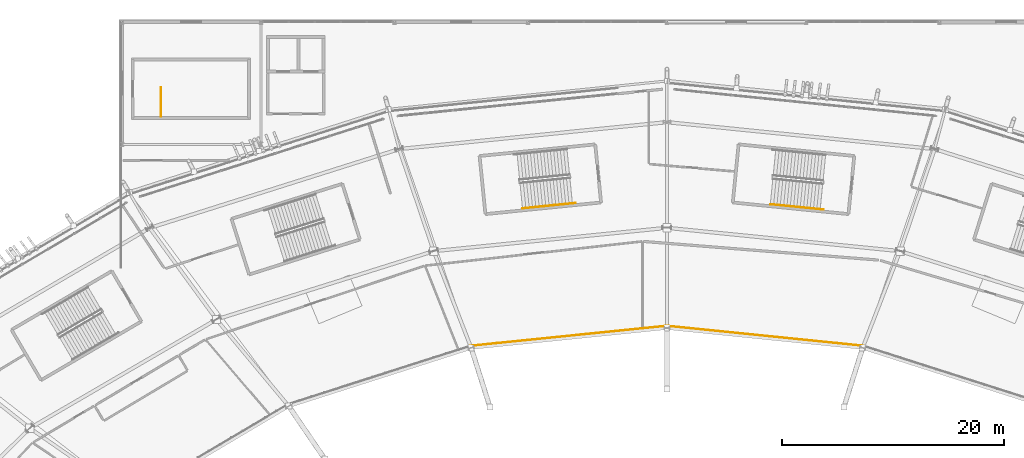
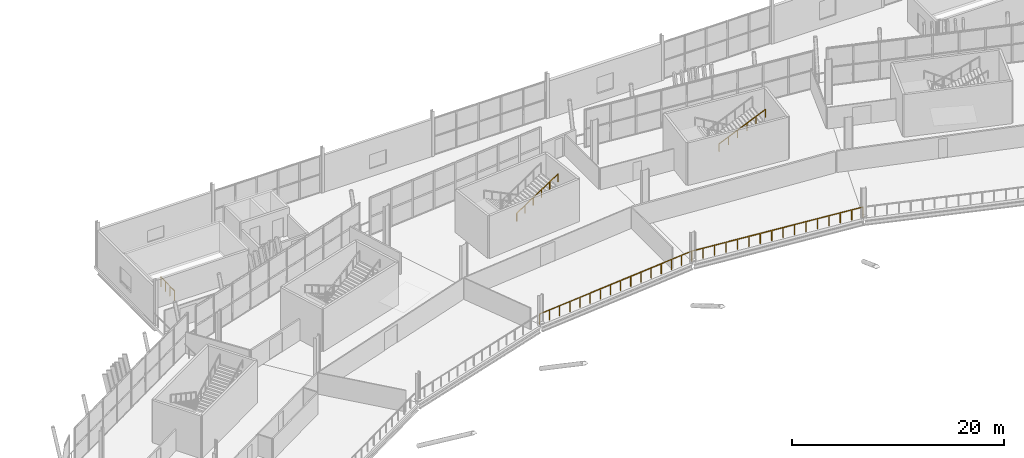
# One storey, part 164 of 168: 5 railings.
"""IFC4 building model written with IfcOpenShell, lengths in metres."""

import ifcopenshell
import ifcopenshell.guid

model = None  # the IFC model being written
_history = None  # IfcOwnerHistory: only IFC2X3 demands one
_inside = {}  # id of a spatial element -> (the spatial element, [elements in it])
_under = {}  # id of a project, library or spatial element -> (it, [spatial elements below it])
_declared = {}  # id of a project -> (the project, [libraries it declares])
_typed = {}  # id of a type object -> (the type object, [elements of that type])
_made_of = {}  # id of a material, layer set ... -> (it, [elements and type objects made of it])


def new_model(schema):
    """Start an empty IFC model of exactly this schema.

    Asked for "IFC4X3", IfcOpenShell would pick the latest addendum, in which some entities
    have other attributes; the version numbers below select the first issue.
    IFC2X3 requires an IfcOwnerHistory on every rooted entity: one is made here for all.
    """
    global model, _history
    if schema == "IFC4X3":
        model = ifcopenshell.file(schema_version=(4, 3, 0, 0))
    else:
        model = ifcopenshell.file(schema=schema)
    _inside.clear()
    _under.clear()
    _declared.clear()
    _typed.clear()
    _made_of.clear()
    _history = None
    if model.schema == "IFC2X3":
        org = make("IfcOrganization", Name="unknown")
        user = make(
            "IfcPersonAndOrganization",
            ThePerson=make("IfcPerson", FamilyName="unknown"),
            TheOrganization=org,
        )
        app = make(
            "IfcApplication",
            ApplicationDeveloper=org,
            Version="unknown",
            ApplicationFullName="unknown",
            ApplicationIdentifier="unknown",
        )
        _history = make(
            "IfcOwnerHistory",
            OwningUser=user,
            OwningApplication=app,
            ChangeAction="ADDED",
            CreationDate=0,
        )
    return model


def make(cls, **values):
    """One entity of the class cls with the attributes given. An attribute that is None is left unset."""
    return model.create_entity(
        cls, **{name: value for name, value in values.items() if value is not None}
    )


def rooted(cls, **values):
    """An entity with a GlobalId (a new one), such as an element, a storey or a relation."""
    return make(cls, GlobalId=ifcopenshell.guid.new(), OwnerHistory=_history, **values)


def si_unit(unit_type, name, prefix=None):
    """IfcSIUnit, for example si_unit("LENGTHUNIT", "METRE", prefix="MILLI")."""
    return make("IfcSIUnit", UnitType=unit_type, Prefix=prefix, Name=name)


def assignment(units):
    """IfcUnitAssignment: the units of a project."""
    return None if units is None else make("IfcUnitAssignment", Units=units)


def point(xyz):
    """IfcCartesianPoint."""
    return None if xyz is None else make("IfcCartesianPoint", Coordinates=xyz)


def direction(xyz):
    """IfcDirection."""
    return None if xyz is None else make("IfcDirection", DirectionRatios=xyz)


def frame(location, z_axis=None, x_axis=None):
    """IfcAxis2Placement3D, a coordinate frame: its origin and axes. An axis left out is left unset."""
    return make(
        "IfcAxis2Placement3D",
        Location=point(location),
        Axis=direction(z_axis),
        RefDirection=direction(x_axis),
    )


def frame_2d(location, x_axis=None):
    """IfcAxis2Placement2D, a coordinate frame in the plane: its origin and x axis."""
    return make(
        "IfcAxis2Placement2D", Location=point(location), RefDirection=direction(x_axis)
    )


def origin():
    """The frame at (0, 0, 0) with its axes left unset."""
    return frame((0.0, 0.0, 0.0))


def origin_2d():
    """The frame at (0, 0) in the plane with its x axis left unset."""
    return frame_2d((0.0, 0.0))


def place(relative_to, where):
    """IfcLocalPlacement: puts the frame where relative to a parent placement (None: the world)."""
    return make(
        "IfcLocalPlacement", PlacementRelTo=relative_to, RelativePlacement=where
    )


def context(
    kind, dimensions, precision=None, world=None, true_north=None, identifier=None
):
    """IfcGeometricRepresentationContext, for example the 3D "Model" context."""
    return make(
        "IfcGeometricRepresentationContext",
        ContextIdentifier=identifier,
        ContextType=kind,
        CoordinateSpaceDimension=dimensions,
        Precision=precision,
        WorldCoordinateSystem=world,
        TrueNorth=true_north,
    )


def subcontext(parent, identifier, kind, view, scale=None):
    """IfcGeometricRepresentationSubContext, for example "Body" below "Model"."""
    return make(
        "IfcGeometricRepresentationSubContext",
        ContextIdentifier=identifier,
        ContextType=kind,
        ParentContext=parent,
        TargetScale=scale,
        TargetView=view,
    )


def project(units=None, contexts=None):
    """IfcProject with its units and contexts."""
    return rooted(
        "IfcProject",
        Name="project",
        RepresentationContexts=contexts,
        UnitsInContext=assignment(units),
    )


def spatial(cls, under=None, at=None, **own):
    """A site, building, storey or space (cls), placed at a placement, below another one or the project."""
    s = rooted(cls, ObjectPlacement=at, **own)
    if under is not None:
        _under.setdefault(under.id(), (under, []))[1].append(s)
    return s


def profile(cls, at=None, kind="AREA", **sizes):
    """A parametric profile (cls). Its sizes go by their IFC names, for example OverallWidth=200.0."""
    return make(cls, ProfileType=kind, Position=at, **sizes)


def rectangle(**sizes):
    """IfcRectangleProfileDef."""
    return profile("IfcRectangleProfileDef", **sizes)


def extrude(swept, where, along, depth):
    """IfcExtrudedAreaSolid: the profile swept, set in the frame where, extruded along a direction by depth."""
    return make(
        "IfcExtrudedAreaSolid",
        SweptArea=swept,
        Position=where,
        ExtrudedDirection=direction(along),
        Depth=depth,
    )


def shape(context_of_items, identifier, shape_type, items):
    """IfcShapeRepresentation: the items that make up one representation, for example the "Body"."""
    return make(
        "IfcShapeRepresentation",
        ContextOfItems=context_of_items,
        RepresentationIdentifier=identifier,
        RepresentationType=shape_type,
        Items=items,
    )


def material(Name=None, Category=None):
    """IfcMaterial."""
    return make("IfcMaterial", Name=Name, Category=Category)


def made_of(thing, what):
    """Note that an element or type object is made of a material, layer set ...; save() writes the relation."""
    if what is not None:
        _made_of.setdefault(what.id(), (what, []))[1].append(thing)
    return thing


def type_object(cls, material=None, **own):
    """A type object (cls), such as IfcWallType, which elements share."""
    return made_of(rooted(cls, **own), material)


def element(
    cls,
    number,
    at=None,
    inside=None,
    cuts=None,
    type_object=None,
    material=None,
    context=None,
    identifier="Body",
    shape_type=None,
    held_by="IfcProductDefinitionShape",
    body=None,
    shapes=None,
    **own,
):
    """One element of the class cls, such as IfcWall. Its Tag is "e" and its number.

    at: its placement. inside: the storey or other place that contains it. cuts: it is an
    opening in that element (IfcRelVoidsElement). A single representation is given by context,
    identifier, shape_type and body (its items); several are given by shapes. held_by: the class
    of the entity that holds the representations. save() writes the other relations.
    """
    e = rooted(cls, Tag="e%d" % number, ObjectPlacement=at, **own)
    if body is not None:
        shapes = [shape(context, identifier, shape_type, body)]
    if shapes is not None:
        e.Representation = make(held_by, Representations=shapes)
    if inside is not None:
        _inside.setdefault(inside.id(), (inside, []))[1].append(e)
    if cuts is not None:
        rooted(
            "IfcRelVoidsElement", RelatingBuildingElement=cuts, RelatedOpeningElement=e
        )
    if type_object is not None:
        _typed.setdefault(type_object.id(), (type_object, []))[1].append(e)
    return made_of(e, material)


def aggregate(whole, parts):
    """IfcRelAggregates: a whole, such as a stair, and the parts it consists of."""
    return rooted("IfcRelAggregates", RelatingObject=whole, RelatedObjects=parts)


def save(model, path):
    """Write the relations noted so far, then the file.

    IfcRelAggregates (storeys below a building ...), IfcRelContainedInSpatialStructure (elements
    in a storey), IfcRelDefinesByType, IfcRelAssociatesMaterial and IfcRelDeclares: one each for
    every whole, place, type object, material and project.
    """
    for whole, parts in _under.values():
        aggregate(whole, parts)
    for where, things in _inside.values():
        rooted(
            "IfcRelContainedInSpatialStructure",
            RelatedElements=things,
            RelatingStructure=where,
        )
    for kind, things in _typed.values():
        rooted("IfcRelDefinesByType", RelatedObjects=things, RelatingType=kind)
    for what, things in _made_of.values():
        rooted("IfcRelAssociatesMaterial", RelatedObjects=things, RelatingMaterial=what)
    for by, libraries in _declared.values():
        rooted("IfcRelDeclares", RelatingContext=by, RelatedDefinitions=libraries)
    model.write(path)


model = new_model("IFC4")

# Units and contexts
model_context = context("Model", 3, precision=1e-05, world=origin(), true_north=direction((0.0, 1.0)))
body_context = subcontext(model_context, "Body", "Model", "MODEL_VIEW")
ifc_project = project(units=[si_unit("LENGTHUNIT", "METRE"), si_unit("AREAUNIT", "SQUARE_METRE"), si_unit("VOLUMEUNIT", "CUBIC_METRE"), si_unit("PLANEANGLEUNIT", "RADIAN"), si_unit("MASSUNIT", "GRAM", prefix="KILO")], contexts=[model_context])

# Site, building, storey
site_placement = place(None, origin())
site = spatial("IfcSite", under=ifc_project, at=site_placement, CompositionType="ELEMENT")
building_placement = place(site_placement, origin())
building = spatial("IfcBuilding", under=site, at=building_placement, Name="Zlatoyarsky Gate Stadium", CompositionType="ELEMENT")
storey_placement = place(building_placement, frame((0.0, 0.0, 15.60009765625)))
storey = spatial("IfcBuildingStorey", under=building, at=storey_placement, Name="L03", CompositionType="ELEMENT", Elevation=15.60009765625)

# Railings
ifc_material_1 = material(Name="Powder-coated steel tubular guardrail", Category="steel")
railing_type_1 = type_object("IfcRailingType", Name="CONCOURSE SLAB EDGE GUARDRAIL 1200", PredefinedType="GUARDRAIL", material=ifc_material_1)
railing_1_placement = place(storey_placement, frame((128.646240234375, 130.885009765625, 0.0)))
element("IfcRailing", 1, at=railing_1_placement, inside=storey, type_object=railing_type_1, Name="L03 inner bowl edge guardrail 05", PredefinedType="GUARDRAIL", context=body_context, shape_type="SweptSolid", body=[
    extrude(rectangle(XDim=0.048095703125, YDim=0.048095703125, at=origin_2d()), frame((0.0, 0.0, 1.17578125), z_axis=(-0.994866629764, 0.101194807095, 0.0), x_axis=(-0.101194807095, -0.994866629764, 0.0)), (0.0, 0.0, 1.0), 17.7373046875),
    extrude(rectangle(XDim=0.0419921875, YDim=0.0419921875, at=origin_2d()), origin(), (0.0, 0.0, 1.0), 1.15185546875),
    extrude(rectangle(XDim=0.0419921875, YDim=0.0419921875, at=origin_2d()), frame((-1.176513671875, 0.11962890625, 0.0)), (0.0, 0.0, 1.0), 1.15185546875),
    extrude(rectangle(XDim=0.0419921875, YDim=0.0419921875, at=origin_2d()), frame((-2.352783203125, 0.2392578125, 0.0)), (0.0, 0.0, 1.0), 1.15185546875),
    extrude(rectangle(XDim=0.0419921875, YDim=0.0419921875, at=origin_2d()), frame((-3.529296875, 0.35888671875, 0.0)), (0.0, 0.0, 1.0), 1.15185546875),
    extrude(rectangle(XDim=0.0419921875, YDim=0.0419921875, at=origin_2d()), frame((-4.70556640625, 0.478759765625, 0.0)), (0.0, 0.0, 1.0), 1.15185546875),
    extrude(rectangle(XDim=0.0419921875, YDim=0.0419921875, at=origin_2d()), frame((-5.882080078125, 0.598388671875, 0.0)), (0.0, 0.0, 1.0), 1.15185546875),
    extrude(rectangle(XDim=0.0419921875, YDim=0.0419921875, at=origin_2d()), frame((-7.05859375, 0.718017578125, 0.0)), (0.0, 0.0, 1.0), 1.15185546875),
    extrude(rectangle(XDim=0.0419921875, YDim=0.0419921875, at=origin_2d()), frame((-8.23486328125, 0.837646484375, 0.0)), (0.0, 0.0, 1.0), 1.15185546875),
    extrude(rectangle(XDim=0.0419921875, YDim=0.0419921875, at=origin_2d()), frame((-9.411376953125, 0.957275390625, 0.0)), (0.0, 0.0, 1.0), 1.15185546875),
    extrude(rectangle(XDim=0.0419921875, YDim=0.0419921875, at=origin_2d()), frame((-10.587646484375, 1.076904296875, 0.0)), (0.0, 0.0, 1.0), 1.15185546875),
    extrude(rectangle(XDim=0.0419921875, YDim=0.0419921875, at=origin_2d()), frame((-11.76416015625, 1.196533203125, 0.0)), (0.0, 0.0, 1.0), 1.15185546875),
    extrude(rectangle(XDim=0.0419921875, YDim=0.0419921875, at=origin_2d()), frame((-12.940673828125, 1.316162109375, 0.0)), (0.0, 0.0, 1.0), 1.15185546875),
    extrude(rectangle(XDim=0.0419921875, YDim=0.0419921875, at=origin_2d()), frame((-14.116943359375, 1.43603515625, 0.0)), (0.0, 0.0, 1.0), 1.15185546875),
    extrude(rectangle(XDim=0.0419921875, YDim=0.0419921875, at=origin_2d()), frame((-15.29345703125, 1.5556640625, 0.0)), (0.0, 0.0, 1.0), 1.15185546875),
    extrude(rectangle(XDim=0.0419921875, YDim=0.0419921875, at=origin_2d()), frame((-16.4697265625, 1.67529296875, 0.0)), (0.0, 0.0, 1.0), 1.15185546875),
    extrude(rectangle(XDim=0.0419921875, YDim=0.0419921875, at=origin_2d()), frame((-17.646240234375, 1.794921875, 0.0)), (0.0, 0.0, 1.0), 1.15185546875),
])
railing_2_placement = place(storey_placement, frame((111.0, 132.679931640625, 0.0)))
element("IfcRailing", 2, at=railing_2_placement, inside=storey, type_object=railing_type_1, Name="L03 inner bowl edge guardrail 06", PredefinedType="GUARDRAIL", context=body_context, shape_type="SweptSolid", body=[
    extrude(rectangle(XDim=0.048095703125, YDim=0.048095703125, at=origin_2d()), frame((0.0, 0.0, 1.17578125), z_axis=(-0.994866629764, -0.101194807095, 0.0), x_axis=(0.101194807095, -0.994866629764, 0.0)), (0.0, 0.0, 1.0), 17.7373046875),
    extrude(rectangle(XDim=0.0419921875, YDim=0.0419921875, at=origin_2d()), origin(), (0.0, 0.0, 1.0), 1.15185546875),
    extrude(rectangle(XDim=0.0419921875, YDim=0.0419921875, at=origin_2d()), frame((-1.176513671875, -0.11962890625, 0.0)), (0.0, 0.0, 1.0), 1.15185546875),
    extrude(rectangle(XDim=0.0419921875, YDim=0.0419921875, at=origin_2d()), frame((-2.352783203125, -0.2392578125, 0.0)), (0.0, 0.0, 1.0), 1.15185546875),
    extrude(rectangle(XDim=0.0419921875, YDim=0.0419921875, at=origin_2d()), frame((-3.529296875, -0.35888671875, 0.0)), (0.0, 0.0, 1.0), 1.15185546875),
    extrude(rectangle(XDim=0.0419921875, YDim=0.0419921875, at=origin_2d()), frame((-4.70556640625, -0.478759765625, 0.0)), (0.0, 0.0, 1.0), 1.15185546875),
    extrude(rectangle(XDim=0.0419921875, YDim=0.0419921875, at=origin_2d()), frame((-5.882080078125, -0.598388671875, 0.0)), (0.0, 0.0, 1.0), 1.15185546875),
    extrude(rectangle(XDim=0.0419921875, YDim=0.0419921875, at=origin_2d()), frame((-7.05859375, -0.718017578125, 0.0)), (0.0, 0.0, 1.0), 1.15185546875),
    extrude(rectangle(XDim=0.0419921875, YDim=0.0419921875, at=origin_2d()), frame((-8.23486328125, -0.837646484375, 0.0)), (0.0, 0.0, 1.0), 1.15185546875),
    extrude(rectangle(XDim=0.0419921875, YDim=0.0419921875, at=origin_2d()), frame((-9.411376953125, -0.957275390625, 0.0)), (0.0, 0.0, 1.0), 1.15185546875),
    extrude(rectangle(XDim=0.0419921875, YDim=0.0419921875, at=origin_2d()), frame((-10.587646484375, -1.076904296875, 0.0)), (0.0, 0.0, 1.0), 1.15185546875),
    extrude(rectangle(XDim=0.0419921875, YDim=0.0419921875, at=origin_2d()), frame((-11.76416015625, -1.196533203125, 0.0)), (0.0, 0.0, 1.0), 1.15185546875),
    extrude(rectangle(XDim=0.0419921875, YDim=0.0419921875, at=origin_2d()), frame((-12.940673828125, -1.316162109375, 0.0)), (0.0, 0.0, 1.0), 1.15185546875),
    extrude(rectangle(XDim=0.0419921875, YDim=0.0419921875, at=origin_2d()), frame((-14.116943359375, -1.43603515625, 0.0)), (0.0, 0.0, 1.0), 1.15185546875),
    extrude(rectangle(XDim=0.0419921875, YDim=0.0419921875, at=origin_2d()), frame((-15.29345703125, -1.5556640625, 0.0)), (0.0, 0.0, 1.0), 1.15185546875),
    extrude(rectangle(XDim=0.0419921875, YDim=0.0419921875, at=origin_2d()), frame((-16.4697265625, -1.67529296875, 0.0)), (0.0, 0.0, 1.0), 1.15185546875),
    extrude(rectangle(XDim=0.0419921875, YDim=0.0419921875, at=origin_2d()), frame((-17.646240234375, -1.794921875, 0.0)), (0.0, 0.0, 1.0), 1.15185546875),
])
ifc_material_2 = material(Name="Powder-coated steel stair guardrail", Category="steel")
railing_type_2 = type_object("IfcRailingType", Name="PAINTED STEEL STAIR WELL GUARDRAIL 1150", PredefinedType="GUARDRAIL", material=ifc_material_2)
railing_3_placement = place(storey_placement, frame((65.5, 151.5, 0.0)))
element("IfcRailing", 3, at=railing_3_placement, inside=storey, type_object=railing_type_2, Name="ST-31 L03 top well guard 1", PredefinedType="GUARDRAIL", context=body_context, shape_type="SweptSolid", body=[
    extrude(rectangle(XDim=0.048095703125, YDim=0.048095703125, at=origin_2d()), frame((0.0, 0.0, 1.1259765625), z_axis=(0.0, 1.0, 0.0), x_axis=(-1.0, 0.0, 0.0)), (0.0, 0.0, 1.0), 2.60009765625),
    extrude(rectangle(XDim=0.0419921875, YDim=0.0419921875, at=origin_2d()), origin(), (0.0, 0.0, 1.0), 1.101806640625),
    extrude(rectangle(XDim=0.0419921875, YDim=0.0419921875, at=origin_2d()), frame((0.0, 0.86669921875, 0.0)), (0.0, 0.0, 1.0), 1.101806640625),
    extrude(rectangle(XDim=0.0419921875, YDim=0.0419921875, at=origin_2d()), frame((0.0, 1.7333984375, 0.0)), (0.0, 0.0, 1.0), 1.101806640625),
    extrude(rectangle(XDim=0.0419921875, YDim=0.0419921875, at=origin_2d()), frame((0.0, 2.60009765625, 0.0)), (0.0, 0.0, 1.0), 1.101806640625),
])
ifc_material_3 = material(Name="Brushed stainless steel 316 handrail", Category="steel")
railing_type_3 = type_object("IfcRailingType", Name="STAINLESS STEEL TUBULAR HANDRAIL 900", PredefinedType="HANDRAIL", material=ifc_material_3)
railing_4_placement = place(storey_placement, frame((98.021484375, 143.24560546875, 2.766357421875)))
element("IfcRailing", 4, at=railing_4_placement, inside=storey, type_object=railing_type_3, Name="ST-04 L03 stair handrail 2", PredefinedType="HANDRAIL", context=body_context, shape_type="SweptSolid", body=[
    extrude(rectangle(XDim=0.048095703125, YDim=0.048095703125, at=origin_2d()), frame((0.0, 0.0, 0.8759765625), z_axis=(0.874874668659, 0.08792575394, 0.47630176982), x_axis=(-0.099997231792, 0.994987715318, 0.0)), (0.0, 0.0, 1.0), 5.458984375),
    extrude(rectangle(XDim=0.0419921875, YDim=0.0419921875, at=origin_2d()), origin(), (0.0, 0.0, 1.0), 0.851806640625),
    extrude(rectangle(XDim=0.0419921875, YDim=0.0419921875, at=origin_2d()), frame((0.955078125, 0.095947265625, 0.52001953125)), (0.0, 0.0, 1.0), 0.851806640625),
    extrude(rectangle(XDim=0.0419921875, YDim=0.0419921875, at=origin_2d()), frame((1.910400390625, 0.19189453125, 1.0400390625)), (0.0, 0.0, 1.0), 0.851806640625),
    extrude(rectangle(XDim=0.0419921875, YDim=0.0419921875, at=origin_2d()), frame((2.865478515625, 0.2880859375, 1.56005859375)), (0.0, 0.0, 1.0), 0.851806640625),
    extrude(rectangle(XDim=0.0419921875, YDim=0.0419921875, at=origin_2d()), frame((3.82080078125, 0.384033203125, 2.080078125)), (0.0, 0.0, 1.0), 0.851806640625),
    extrude(rectangle(XDim=0.0419921875, YDim=0.0419921875, at=origin_2d()), frame((4.77587890625, 0.47998046875, 2.60009765625)), (0.0, 0.0, 1.0), 0.851806640625),
])
railing_5_placement = place(storey_placement, frame((120.297119140625, 143.61572265625, 2.766357421875)))
element("IfcRailing", 5, at=railing_5_placement, inside=storey, type_object=railing_type_3, Name="ST-17 L03 stair handrail 2", PredefinedType="HANDRAIL", context=body_context, shape_type="SweptSolid", body=[
    extrude(rectangle(XDim=0.048095703125, YDim=0.048095703125, at=origin_2d()), frame((0.0, 0.0, 0.8759765625), z_axis=(0.874874668659, -0.08792575394, 0.47630176982), x_axis=(0.099997231792, 0.994987715318, 0.0)), (0.0, 0.0, 1.0), 5.458984375),
    extrude(rectangle(XDim=0.0419921875, YDim=0.0419921875, at=origin_2d()), origin(), (0.0, 0.0, 1.0), 0.851806640625),
    extrude(rectangle(XDim=0.0419921875, YDim=0.0419921875, at=origin_2d()), frame((0.955078125, -0.095947265625, 0.52001953125)), (0.0, 0.0, 1.0), 0.851806640625),
    extrude(rectangle(XDim=0.0419921875, YDim=0.0419921875, at=origin_2d()), frame((1.910400390625, -0.19189453125, 1.0400390625)), (0.0, 0.0, 1.0), 0.851806640625),
    extrude(rectangle(XDim=0.0419921875, YDim=0.0419921875, at=origin_2d()), frame((2.865478515625, -0.2880859375, 1.56005859375)), (0.0, 0.0, 1.0), 0.851806640625),
    extrude(rectangle(XDim=0.0419921875, YDim=0.0419921875, at=origin_2d()), frame((3.82080078125, -0.384033203125, 2.080078125)), (0.0, 0.0, 1.0), 0.851806640625),
    extrude(rectangle(XDim=0.0419921875, YDim=0.0419921875, at=origin_2d()), frame((4.77587890625, -0.47998046875, 2.60009765625)), (0.0, 0.0, 1.0), 0.851806640625),
])

save(model, "model.ifc")
